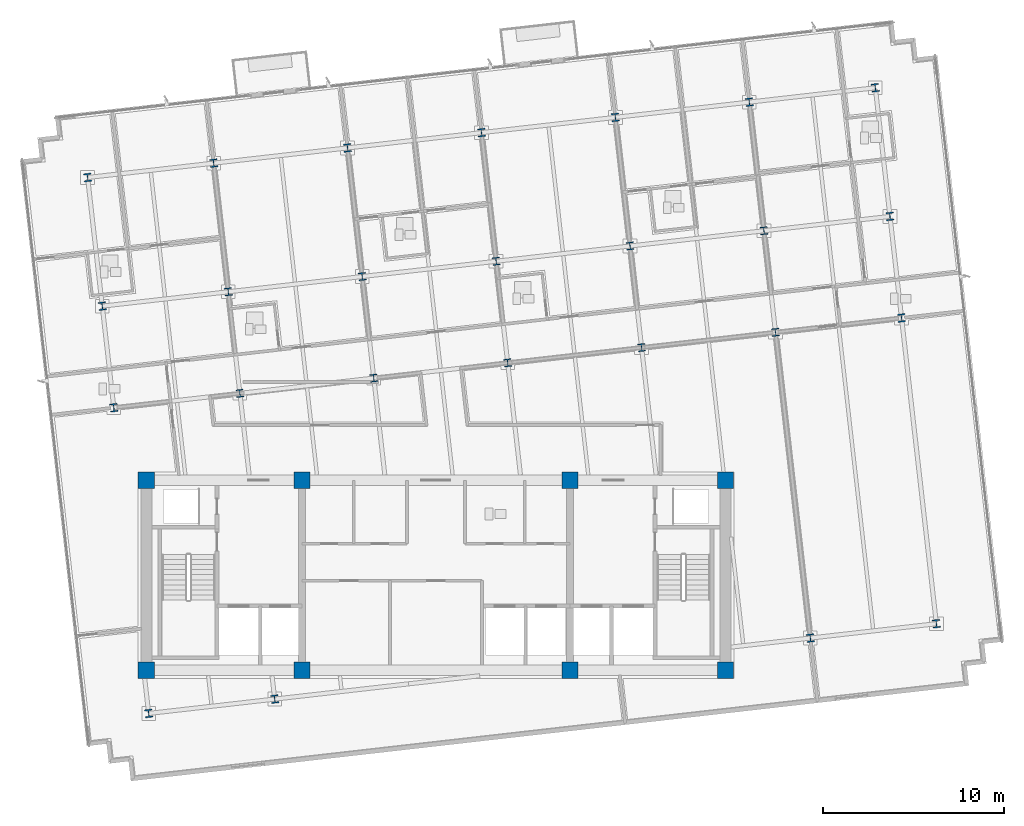
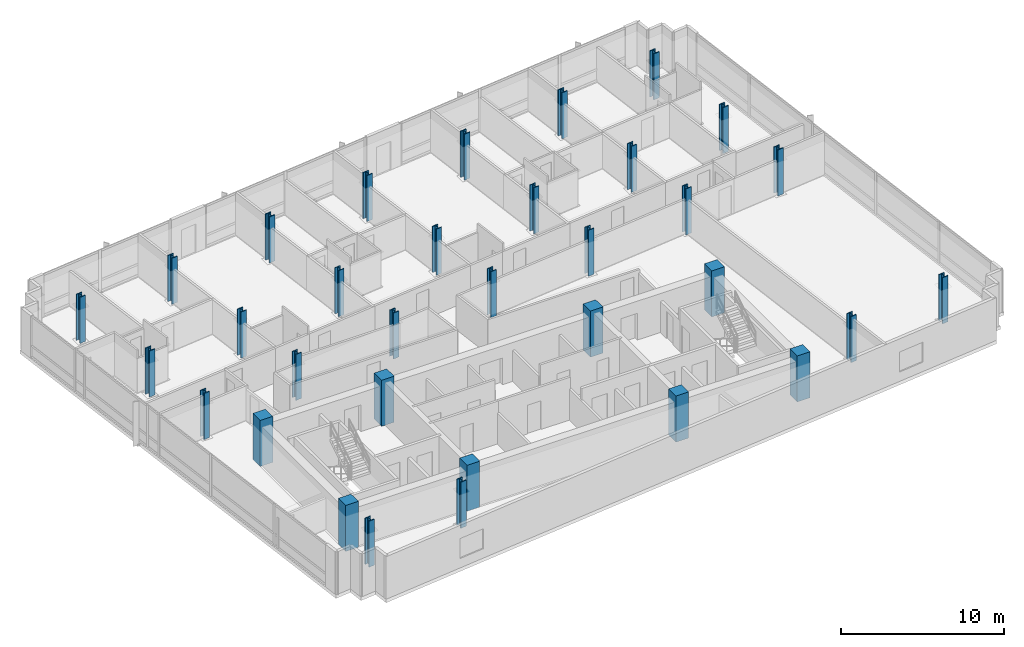
# One storey, part 1 of 17: 33 columns.
"""IFC4 building model written with IfcOpenShell, lengths in metres."""

from ifc_helpers import new_model, si_unit, direction, frame, origin, origin_2d, place, context, subcontext, project, spatial, rectangle, i_section, extrude, material, material_profile, profile_set, type_object, element, save


model = new_model("IFC4")

# Units and contexts
model_context = context("Model", 3, precision=1e-05, world=origin(), true_north=direction((0.0, 1.0)))
body_context = subcontext(model_context, "Body", "Model", "MODEL_VIEW")
ifc_project = project(units=[si_unit("LENGTHUNIT", "METRE"), si_unit("AREAUNIT", "SQUARE_METRE"), si_unit("VOLUMEUNIT", "CUBIC_METRE"), si_unit("PLANEANGLEUNIT", "RADIAN"), si_unit("MASSUNIT", "GRAM", prefix="KILO")], contexts=[model_context])

# Site, building, storey
site_placement = place(None, origin())
site = spatial("IfcSite", under=ifc_project, at=site_placement, CompositionType="ELEMENT")
building_placement = place(site_placement, origin())
building = spatial("IfcBuilding", under=site, at=building_placement, Name="Solmavex Isthmus Hotel", CompositionType="ELEMENT")
storey_placement = place(building_placement, frame((0.0, 0.0, 198.60009765625)))
storey = spatial("IfcBuildingStorey", under=building, at=storey_placement, Name="L53", CompositionType="ELEMENT", Elevation=198.60009765625)

# Columns
ifc_material_1 = material(Name="Concrete C50/60", Category="concrete")
ifc_material_profile_1 = material_profile(ifc_material_1, rectangle(XDim=0.89990234375, YDim=0.89990234375, at=origin_2d()), Name="RC900X900")
ifc_profile_set_1 = profile_set([ifc_material_profile_1], Name="Concrete C50/60")
column_type_1 = type_object("IfcColumnType", Name="COL-CC-900", PredefinedType="COLUMN", material=ifc_profile_set_1)
for number, where, z_axis, x_axis, name in (
    (1, (-16.0, -13.0, 0.0), (0.0, 0.0, 1.0), (1.0, 0.0, 0.0), "Core Pilaster CC-SW L53"),
    (2, (-7.39990234375, -13.0, 0.0), (0.0, 0.0, 1.0), (1.0, 0.0, 0.0), "Core Pilaster CC-S1 L53"),
    (3, (7.39990234375, -13.0, 0.0), (0.0, 0.0, 1.0), (1.0, 0.0, 0.0), "Core Pilaster CC-S2 L53"),
    (4, (16.0, -13.0, 0.0), (0.0, 0.0, 1.0), (1.0, 0.0, 0.0), "Core Pilaster CC-SE L53"),
    (5, (-16.0, -2.5, 0.0), (0.0, 0.0, 1.0), (1.0, 0.0, 0.0), "Core Pilaster CC-NW L53"),
    (6, (-7.39990234375, -2.5, 0.0), (0.0, 0.0, 1.0), (1.0, 0.0, 0.0), "Core Pilaster CC-N1 L53"),
    (7, (7.39990234375, -2.5, 0.0), (0.0, 0.0, 1.0), (1.0, 0.0, 0.0), "Core Pilaster CC-N2 L53"),
    (8, (16.0, -2.5, 0.0), (0.0, 0.0, 1.0), (1.0, 0.0, 0.0), "Core Pilaster CC-NE L53"),
):
    element("IfcColumn", number, at=place(storey_placement, frame(where, z_axis=z_axis, x_axis=x_axis)), inside=storey, type_object=column_type_1, Name=name, PredefinedType="COLUMN", context=body_context, shape_type="SweptSolid", body=[
        extrude(rectangle(XDim=0.89990234375, YDim=0.89990234375, at=origin_2d()), origin(), (0.0, 0.0, 1.0), 3.449951171875),
    ])
ifc_material_2 = material(Name="Steel ASTM A913 Grade 65", Category="steel")
ifc_material_profile_2 = material_profile(ifc_material_2, i_section(OverallWidth=0.412109375, OverallDepth=0.434814453125, WebThickness=0.035888671875, FlangeThickness=0.057373046875, FilletRadius=0.030517578125, at=origin_2d()), Name="W14X311")
ifc_profile_set_2 = profile_set([ifc_material_profile_2], Name="Steel ASTM A913 Grade 65")
column_type_2 = type_object("IfcColumnType", Name="COL-SC-W14X311", PredefinedType="COLUMN", material=ifc_profile_set_2)
for number, where, z_axis, x_axis, name in (
    (9, (-10.833984375, 2.30078125, 0.0), (0.0, 0.0, 1.0), (0.993571855677, 0.113203213768, 0.0), "Tower Column B4-U2V2 L53"),
    (10, (-11.473388671875, 7.912353515625, 0.0), (0.0, 0.0, 1.0), (0.993571855677, 0.113203213768, 0.0), "Tower Column B4-U2V3 L53"),
    (11, (-3.435791015625, 3.1435546875, 0.0), (0.0, 0.0, 1.0), (0.993571855677, 0.113203213768, 0.0), "Tower Column B4-U3V2 L53"),
    (12, (-4.0751953125, 8.75537109375, 0.0), (0.0, 0.0, 1.0), (0.993571855677, 0.113203213768, 0.0), "Tower Column B4-U3V3 L53"),
    (13, (3.962158203125, 3.986572265625, 0.0), (0.0, 0.0, 1.0), (0.993571855677, 0.113203213768, 0.0), "Tower Column B4-U4V2 L53"),
    (14, (3.322998046875, 9.59814453125, 0.0), (0.0, 0.0, 1.0), (0.993571855677, 0.113203213768, 0.0), "Tower Column B4-U4V3 L53"),
    (15, (11.3603515625, 4.829345703125, 0.0), (0.0, 0.0, 1.0), (0.993571855677, 0.113203213768, 0.0), "Tower Column B4-U5V2 L53"),
    (16, (10.720947265625, 10.441162109375, 0.0), (0.0, 0.0, 1.0), (0.993571855677, 0.113203213768, 0.0), "Tower Column B4-U5V3 L53"),
    (17, (18.758544921875, 5.67236328125, 0.0), (0.0, 0.0, 1.0), (0.993571855677, 0.113203213768, 0.0), "Tower Column B4-U6V2 L53"),
    (18, (18.119140625, 11.283935546875, 0.0), (0.0, 0.0, 1.0), (0.993571855677, 0.113203213768, 0.0), "Tower Column B4-U6V3 L53"),
):
    element("IfcColumn", number, at=place(storey_placement, frame(where, z_axis=z_axis, x_axis=x_axis)), inside=storey, type_object=column_type_2, Name=name, PredefinedType="COLUMN", context=body_context, shape_type="SweptSolid", body=[
        extrude(i_section(OverallWidth=0.412109375, OverallDepth=0.434814453125, WebThickness=0.035888671875, FlangeThickness=0.057373046875, FilletRadius=0.030517578125, at=origin_2d()), origin(), (0.0, 0.0, 1.0), 3.449951171875),
    ])
ifc_material_profile_3 = material_profile(ifc_material_2, i_section(OverallWidth=0.41845703125, OverallDepth=0.455078125, WebThickness=0.0419921875, FlangeThickness=0.067626953125, FilletRadius=0.030517578125, at=origin_2d()), Name="W14X370")
ifc_profile_set_3 = profile_set([ifc_material_profile_3], Name="Steel ASTM A913 Grade 65")
column_type_3 = type_object("IfcColumnType", Name="COL-SC-W14X370", PredefinedType="COLUMN", material=ifc_profile_set_3)
for number, where, z_axis, x_axis, name in (
    (19, (-15.87255859375, -15.38330078125, 0.0), (0.0, 0.0, 1.0), (0.993571855677, 0.113203213768, 0.0), "Tower Column B4-U1V1 L53"),
    (20, (-17.796875, 1.50732421875, 0.0), (0.0, 0.0, 1.0), (0.993571855677, 0.113203213768, 0.0), "Tower Column B4-U1V2 L53"),
    (21, (-18.436279296875, 7.119140625, 0.0), (0.0, 0.0, 1.0), (0.993571855677, 0.113203213768, 0.0), "Tower Column B4-U1V3 L53"),
    (22, (-19.245849609375, 14.22509765625, 0.0), (0.0, 0.0, 1.0), (0.993571855677, 0.113203213768, 0.0), "Tower Column B4-U1V4 L53"),
    (23, (-8.909423828125, -14.590087890625, 0.0), (0.0, 0.0, 1.0), (0.993571855677, 0.113203213768, 0.0), "Tower Column B4-U2V1 L53"),
    (24, (-12.282958984375, 15.018310546875, 0.0), (0.0, 0.0, 1.0), (0.993571855677, 0.113203213768, 0.0), "Tower Column B4-U2V4 L53"),
    (25, (-4.884765625, 15.861328125, 0.0), (0.0, 0.0, 1.0), (0.993571855677, 0.113203213768, 0.0), "Tower Column B4-U3V4 L53"),
    (26, (2.51318359375, 16.7041015625, 0.0), (0.0, 0.0, 1.0), (0.993571855677, 0.113203213768, 0.0), "Tower Column B4-U4V4 L53"),
    (27, (9.911376953125, 17.547119140625, 0.0), (0.0, 0.0, 1.0), (0.993571855677, 0.113203213768, 0.0), "Tower Column B4-U5V4 L53"),
    (28, (20.68310546875, -11.218505859375, 0.0), (0.0, 0.0, 1.0), (0.993571855677, 0.113203213768, 0.0), "Tower Column B4-U6V1 L53"),
    (29, (17.3095703125, 18.39013671875, 0.0), (0.0, 0.0, 1.0), (0.993571855677, 0.113203213768, 0.0), "Tower Column B4-U6V4 L53"),
    (30, (27.64599609375, -10.425048828125, 0.0), (0.0, 0.0, 1.0), (0.993571855677, 0.113203213768, 0.0), "Tower Column B4-U7V1 L53"),
    (31, (25.721435546875, 6.465576171875, 0.0), (0.0, 0.0, 1.0), (0.993571855677, 0.113203213768, 0.0), "Tower Column B4-U7V2 L53"),
    (32, (25.08203125, 12.077392578125, 0.0), (0.0, 0.0, 1.0), (0.993571855677, 0.113203213768, 0.0), "Tower Column B4-U7V3 L53"),
    (33, (24.2724609375, 19.183349609375, 0.0), (0.0, 0.0, 1.0), (0.993571855677, 0.113203213768, 0.0), "Tower Column B4-U7V4 L53"),
):
    element("IfcColumn", number, at=place(storey_placement, frame(where, z_axis=z_axis, x_axis=x_axis)), inside=storey, type_object=column_type_3, Name=name, PredefinedType="COLUMN", context=body_context, shape_type="SweptSolid", body=[
        extrude(i_section(OverallWidth=0.41845703125, OverallDepth=0.455078125, WebThickness=0.0419921875, FlangeThickness=0.067626953125, FilletRadius=0.030517578125, at=origin_2d()), origin(), (0.0, 0.0, 1.0), 3.449951171875),
    ])

save(model, "model.ifc")
